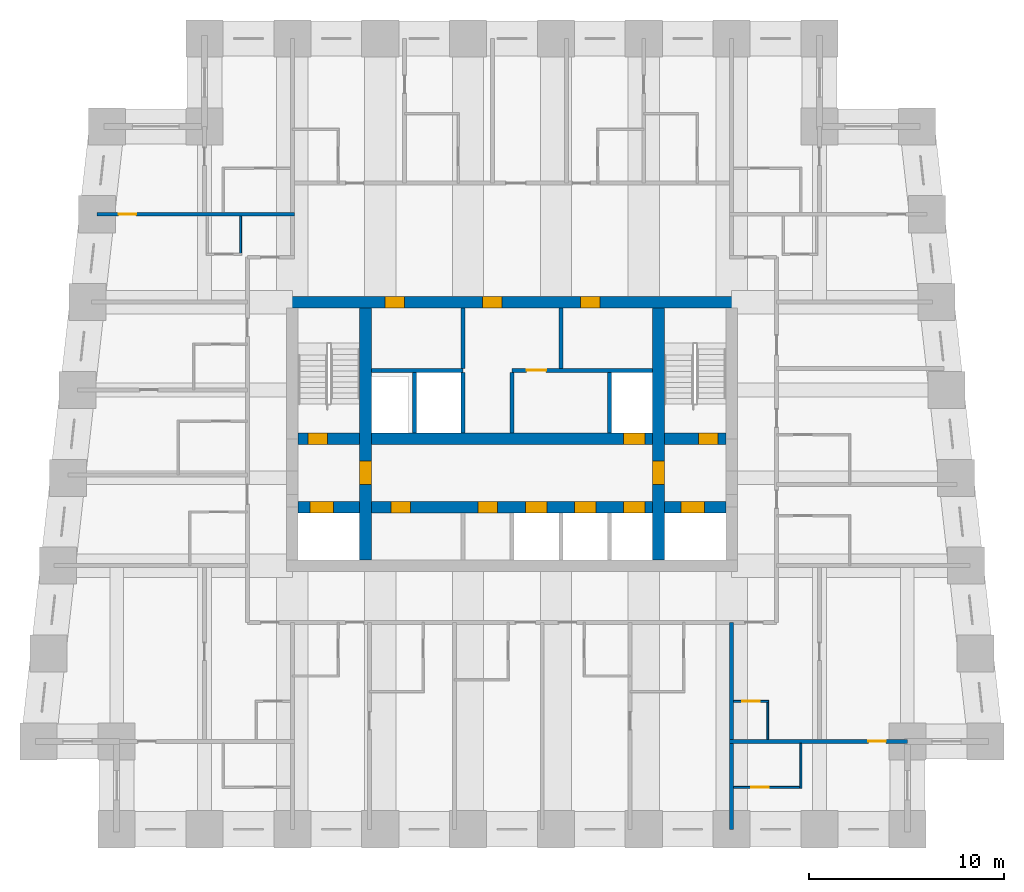
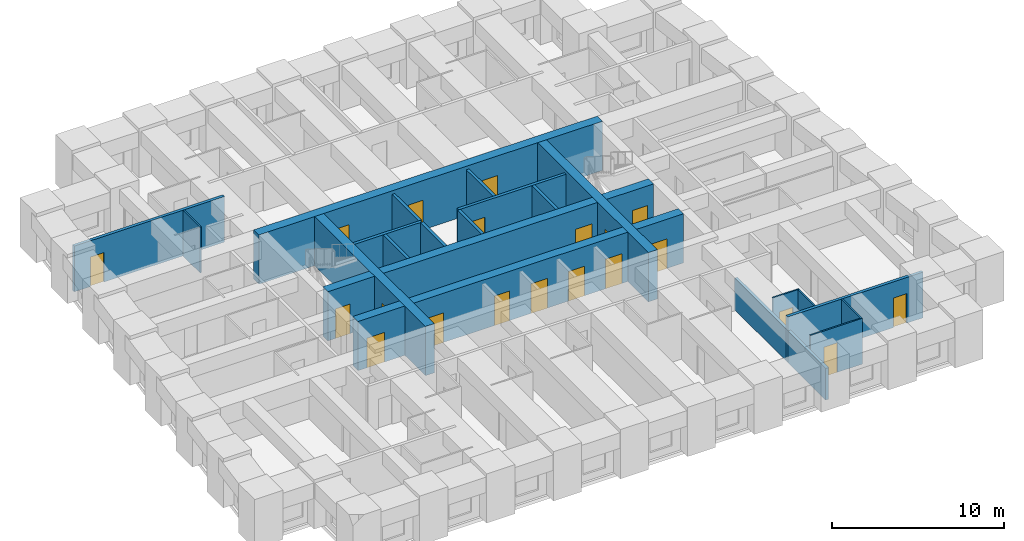
# One storey, part 4 of 8: 21 walls, 20 doors, 20 openings.
"""IFC4 building model written with IfcOpenShell, lengths in metres."""

from ifc_helpers import new_model, si_unit, direction, frame, frame_2d, origin, place, context, subcontext, project, spatial, rectangle, extrude, material, layer, layer_set, type_object, element, fill, save


model = new_model("IFC4")

# Units and contexts
model_context = context("Model", 3, precision=1e-05, world=origin(), true_north=direction((0.0, 1.0)))
body_context = subcontext(model_context, "Body", "Model", "MODEL_VIEW")
ifc_project = project(units=[si_unit("LENGTHUNIT", "METRE"), si_unit("AREAUNIT", "SQUARE_METRE"), si_unit("VOLUMEUNIT", "CUBIC_METRE"), si_unit("PLANEANGLEUNIT", "RADIAN"), si_unit("MASSUNIT", "GRAM", prefix="KILO")], contexts=[model_context])

# Site, building, storey
site_placement = place(None, origin())
site = spatial("IfcSite", under=ifc_project, at=site_placement, CompositionType="ELEMENT")
building_placement = place(site_placement, origin())
building = spatial("IfcBuilding", under=site, at=building_placement, Name="Kilele Tower Hotel", CompositionType="ELEMENT")
storey_placement = place(building_placement, frame((0.0, 0.0, 117.89990234375)))
storey = spatial("IfcBuildingStorey", under=building, at=storey_placement, Name="L30", CompositionType="ELEMENT", Elevation=117.89990234375)

# Wall
ifc_material_1 = material(Name="Moisture-resistant board")
ifc_layer_1 = layer(ifc_material_1, 0.10009765625)
ifc_layer_set_1 = layer_set([ifc_layer_1], Name="Moisture-resistant board")
wall_type_1 = type_object("IfcWallType", Name="Bathroom partition 100", PredefinedType="PLUMBINGWALL", material=ifc_layer_set_1)
wall_1_placement = place(storey_placement, frame((37.85009765625, 4.60009765625, 0.0), z_axis=(0.0, 0.0, 1.0), x_axis=(0.0, 1.0, 0.0)))
element("IfcWall", 1, at=wall_1_placement, inside=storey, type_object=wall_type_1, Name="Bathroom partition 100 L30", PredefinedType="PLUMBINGWALL", context=body_context, shape_type="SweptSolid", body=[
    extrude(rectangle(XDim=2.0, YDim=0.10009765625, at=frame_2d((1.0, 0.0))), origin(), (0.0, 0.0, 1.0), 3.25),
])

# Wall, opening, door
wall_2_placement = place(storey_placement, frame((36.10009765625, 6.550048828125, 0.0), z_axis=(0.0, 0.0, 1.0), x_axis=(1.0, 0.0, 0.0)))
wall_2 = element("IfcWall", 2, at=wall_2_placement, inside=storey, type_object=wall_type_1, Name="Bathroom partition 100 L30", PredefinedType="PLUMBINGWALL", context=body_context, shape_type="SweptSolid", body=[
    extrude(rectangle(XDim=1.7998046875, YDim=0.10009765625, at=frame_2d((0.89990234375, 0.0))), origin(), (0.0, 0.0, 1.0), 3.25),
])
opening_1_placement = place(wall_2_placement, frame((0.449951171875, 0.0, 0.0)))
opening_1 = element("IfcOpeningElement", 3, at=opening_1_placement, cuts=wall_2, Name="Opening D2A", PredefinedType="OPENING", context=body_context, shape_type="SweptSolid", body=[
    extrude(rectangle(XDim=0.89990234375, YDim=2.10009765625, at=frame_2d((0.449951171875, 1.050048828125))), frame((0.0, 0.06005859375, 0.0), z_axis=(0.0, -1.0, 0.0), x_axis=(1.0, 0.0, 0.0)), (0.0, 0.0, 1.0), 0.1201171875),
])
ifc_material_2 = material(Name="Timber door leaf in hardwood frame", Category="wood")
door_type_1 = type_object("IfcDoorType", Name="Bathroom door 900", OperationType="SINGLE_SWING_LEFT", PredefinedType="DOOR", material=ifc_material_2)
door_1_placement = place(opening_1_placement, origin())
door_1 = element("IfcDoor", 4, at=door_1_placement, inside=storey, type_object=door_type_1, Name="Bathroom door 3020P", OperationType="SINGLE_SWING_LEFT", OverallHeight=2.10009765625, OverallWidth=0.89990234375, PredefinedType="DOOR", context=body_context, shape_type="SweptSolid", body=[
    extrude(rectangle(XDim=0.89990234375, YDim=2.10009765625, at=frame_2d((0.449951171875, 1.050048828125))), frame((0.0, 0.02490234375, 0.0), z_axis=(0.0, -1.0, 0.0), x_axis=(1.0, 0.0, 0.0)), (0.0, 0.0, 1.0), 0.050048828125),
])
fill(opening_1, door_1)

# Wall
wall_3_placement = place(storey_placement, frame((39.550048828125, 4.39990234375, 0.0), z_axis=(0.0, 0.0, 1.0), x_axis=(0.0, -1.0, 0.0)))
element("IfcWall", 5, at=wall_3_placement, inside=storey, type_object=wall_type_1, Name="Bathroom partition 100 L30", PredefinedType="PLUMBINGWALL", context=body_context, shape_type="SweptSolid", body=[
    extrude(rectangle(XDim=2.2998046875, YDim=0.10009765625, at=frame_2d((1.14990234375, 0.0))), origin(), (0.0, 0.0, 1.0), 3.25),
])

# Wall, opening, door
wall_4_placement = place(storey_placement, frame((36.10009765625, 2.14990234375, 0.0), z_axis=(0.0, 0.0, 1.0), x_axis=(1.0, 0.0, 0.0)))
wall_4 = element("IfcWall", 6, at=wall_4_placement, inside=storey, type_object=wall_type_1, Name="Bathroom partition 100 L30", PredefinedType="PLUMBINGWALL", context=body_context, shape_type="SweptSolid", body=[
    extrude(rectangle(XDim=3.5, YDim=0.10009765625, at=frame_2d((1.75, 0.0))), origin(), (0.0, 0.0, 1.0), 3.25),
])
opening_2_placement = place(wall_4_placement, frame((1.7998046875, 0.0, 0.0), z_axis=(0.0, 0.0, 1.0), x_axis=(-1.0, 0.0, 0.0)))
opening_2 = element("IfcOpeningElement", 7, at=opening_2_placement, cuts=wall_4, Name="Opening D2A", PredefinedType="OPENING", context=body_context, shape_type="SweptSolid", body=[
    extrude(rectangle(XDim=0.89990234375, YDim=2.10009765625, at=frame_2d((0.449951171875, 1.050048828125))), frame((0.0, 0.06005859375, 0.0), z_axis=(0.0, -1.0, 0.0), x_axis=(1.0, 0.0, 0.0)), (0.0, 0.0, 1.0), 0.1201171875),
])
door_2_placement = place(opening_2_placement, origin())
door_2 = element("IfcDoor", 8, at=door_2_placement, inside=storey, type_object=door_type_1, Name="Bathroom door 3022B", OperationType="SINGLE_SWING_RIGHT", OverallHeight=2.10009765625, OverallWidth=0.89990234375, PredefinedType="DOOR", context=body_context, shape_type="SweptSolid", body=[
    extrude(rectangle(XDim=0.89990234375, YDim=2.10009765625, at=frame_2d((0.449951171875, 1.050048828125))), frame((0.0, 0.02490234375, 0.0), z_axis=(0.0, -1.0, 0.0), x_axis=(1.0, 0.0, 0.0)), (0.0, 0.0, 1.0), 0.050048828125),
])
fill(opening_2, door_2)

# Wall
wall_5_placement = place(storey_placement, frame((10.85009765625, 31.39990234375, 0.0), z_axis=(0.0, 0.0, 1.0), x_axis=(0.0, -1.0, 0.0)))
element("IfcWall", 9, at=wall_5_placement, inside=storey, type_object=wall_type_1, Name="Bathroom partition 100 L30", PredefinedType="PLUMBINGWALL", context=body_context, shape_type="SweptSolid", body=[
    extrude(rectangle(XDim=2.0, YDim=0.10009765625, at=frame_2d((1.0, 0.0))), origin(), (0.0, 0.0, 1.0), 3.25),
])

# Wall, openings, doors
ifc_material_3 = material(Name="Concrete C60/75", Category="concrete")
ifc_layer_2 = layer(ifc_material_3, 0.60009765625)
ifc_layer_set_2 = layer_set([ifc_layer_2], Name="Concrete C60/75")
wall_type_2 = type_object("IfcWallType", Name="Core wall 600 C60/75", PredefinedType="SHEAR", material=ifc_layer_set_2)
wall_6_placement = place(storey_placement, frame((36.300048828125, 27.0, 0.0), z_axis=(0.0, 0.0, 1.0), x_axis=(-1.0, 0.0, 0.0)))
wall_6 = element("IfcWall", 10, at=wall_6_placement, inside=storey, type_object=wall_type_2, Name="Core wall N L30", PredefinedType="SHEAR", context=body_context, shape_type="SweptSolid", body=[
    extrude(rectangle(XDim=23.10009765625, YDim=0.60009765625, at=frame_2d((11.550048828125, 0.0))), origin(), (0.0, 0.0, 1.0), 3.5),
])
opening_3_placement = place(wall_6_placement, frame((17.050048828125, 0.0, 0.0)))
opening_3 = element("IfcOpeningElement", 11, at=opening_3_placement, cuts=wall_6, Name="Opening D6", PredefinedType="OPENING", context=body_context, shape_type="SweptSolid", body=[
    extrude(rectangle(XDim=1.0, YDim=2.10009765625, at=frame_2d((0.5, 1.050048828125))), frame((0.0, 0.31005859375, 0.0), z_axis=(0.0, -1.0, 0.0), x_axis=(1.0, 0.0, 0.0)), (0.0, 0.0, 1.0), 0.6201171875),
])
opening_4_placement = place(wall_6_placement, frame((12.050048828125, 0.0, 0.0)))
opening_4 = element("IfcOpeningElement", 12, at=opening_4_placement, cuts=wall_6, Name="Opening D6", PredefinedType="OPENING", context=body_context, shape_type="SweptSolid", body=[
    extrude(rectangle(XDim=1.0, YDim=2.10009765625, at=frame_2d((0.5, 1.050048828125))), frame((0.0, 0.31005859375, 0.0), z_axis=(0.0, -1.0, 0.0), x_axis=(1.0, 0.0, 0.0)), (0.0, 0.0, 1.0), 0.6201171875),
])
opening_5_placement = place(wall_6_placement, frame((7.050048828125, 0.0, 0.0)))
opening_5 = element("IfcOpeningElement", 13, at=opening_5_placement, cuts=wall_6, Name="Opening D6", PredefinedType="OPENING", context=body_context, shape_type="SweptSolid", body=[
    extrude(rectangle(XDim=1.0, YDim=2.10009765625, at=frame_2d((0.5, 1.050048828125))), frame((0.0, 0.31005859375, 0.0), z_axis=(0.0, -1.0, 0.0), x_axis=(1.0, 0.0, 0.0)), (0.0, 0.0, 1.0), 0.6201171875),
])
ifc_material_4 = material(Name="Timber door leaf in hardwood frame", Category="wood")
door_type_2 = type_object("IfcDoorType", Name="Riser door 1000", OperationType="SINGLE_SWING_LEFT", PredefinedType="DOOR", material=ifc_material_4)
door_3_placement = place(opening_3_placement, origin())
door_3 = element("IfcDoor", 14, at=door_3_placement, inside=storey, type_object=door_type_2, Name="Service riser door L30", OperationType="SINGLE_SWING_RIGHT", OverallHeight=2.10009765625, OverallWidth=1.0, PredefinedType="DOOR", context=body_context, shape_type="SweptSolid", body=[
    extrude(rectangle(XDim=1.0, YDim=2.10009765625, at=frame_2d((0.5, 1.050048828125))), frame((0.0, 0.2998046875, 0.0), z_axis=(0.0, -1.0, 0.0), x_axis=(1.0, 0.0, 0.0)), (0.0, 0.0, 1.0), 0.599609375),
])
fill(opening_3, door_3)
door_4_placement = place(opening_4_placement, origin())
door_4 = element("IfcDoor", 15, at=door_4_placement, inside=storey, type_object=door_type_2, Name="Linen store door L30", OperationType="SINGLE_SWING_RIGHT", OverallHeight=2.10009765625, OverallWidth=1.0, PredefinedType="DOOR", context=body_context, shape_type="SweptSolid", body=[
    extrude(rectangle(XDim=1.0, YDim=2.10009765625, at=frame_2d((0.5, 1.050048828125))), frame((0.0, 0.2998046875, 0.0), z_axis=(0.0, -1.0, 0.0), x_axis=(1.0, 0.0, 0.0)), (0.0, 0.0, 1.0), 0.599609375),
])
fill(opening_4, door_4)
door_5_placement = place(opening_5_placement, origin())
door_5 = element("IfcDoor", 16, at=door_5_placement, inside=storey, type_object=door_type_2, Name="Electrical riser door L30", OperationType="SINGLE_SWING_RIGHT", OverallHeight=2.10009765625, OverallWidth=1.0, PredefinedType="DOOR", context=body_context, shape_type="SweptSolid", body=[
    extrude(rectangle(XDim=1.0, YDim=2.10009765625, at=frame_2d((0.5, 1.050048828125))), frame((0.0, 0.2998046875, 0.0), z_axis=(0.0, -1.0, 0.0), x_axis=(1.0, 0.0, 0.0)), (0.0, 0.0, 1.0), 0.599609375),
])
fill(opening_5, door_5)

# Wall, opening, door
wall_7_placement = place(storey_placement, frame((17.25, 13.800048828125, 0.0), z_axis=(0.0, 0.0, 1.0), x_axis=(0.0, 1.0, 0.0)))
wall_7 = element("IfcWall", 17, at=wall_7_placement, inside=storey, type_object=wall_type_2, Name="Core wall IW L30", PredefinedType="SHEAR", context=body_context, shape_type="SweptSolid", body=[
    extrude(rectangle(XDim=12.89990234375, YDim=0.60009765625, at=frame_2d((6.449951171875, 0.0))), origin(), (0.0, 0.0, 1.0), 3.5),
])
opening_6_placement = place(wall_7_placement, frame((3.85009765625, 0.0, 0.0)))
opening_6 = element("IfcOpeningElement", 18, at=opening_6_placement, cuts=wall_7, Name="Opening D4", PredefinedType="OPENING", context=body_context, shape_type="SweptSolid", body=[
    extrude(rectangle(XDim=1.199951171875, YDim=2.10009765625, at=frame_2d((0.60009765625, 1.050048828125))), frame((0.0, 0.31005859375, 0.0), z_axis=(0.0, -1.0, 0.0), x_axis=(1.0, 0.0, 0.0)), (0.0, 0.0, 1.0), 0.6201171875),
])
ifc_material_5 = material(Name="Timber door leaf in hardwood frame", Category="wood")
door_type_3 = type_object("IfcDoorType", Name="Firefighting lobby door 1200", OperationType="SINGLE_SWING_LEFT", PredefinedType="DOOR", material=ifc_material_5)
door_6_placement = place(opening_6_placement, origin())
door_6 = element("IfcDoor", 19, at=door_6_placement, inside=storey, type_object=door_type_3, Name="Lobby door L30", OperationType="SINGLE_SWING_LEFT", OverallHeight=2.10009765625, OverallWidth=1.199951171875, PredefinedType="DOOR", context=body_context, shape_type="SweptSolid", body=[
    extrude(rectangle(XDim=1.199951171875, YDim=2.10009765625, at=frame_2d((0.60009765625, 1.050048828125))), frame((0.0, 0.2998046875, 0.0), z_axis=(0.0, -1.0, 0.0), x_axis=(1.0, 0.0, 0.0)), (0.0, 0.0, 1.0), 0.599609375),
])
fill(opening_6, door_6)

wall_8_placement = place(storey_placement, frame((32.25, 13.800048828125, 0.0), z_axis=(0.0, 0.0, 1.0), x_axis=(0.0, 1.0, 0.0)))
wall_8 = element("IfcWall", 20, at=wall_8_placement, inside=storey, type_object=wall_type_2, Name="Core wall IE L30", PredefinedType="SHEAR", context=body_context, shape_type="SweptSolid", body=[
    extrude(rectangle(XDim=12.89990234375, YDim=0.60009765625, at=frame_2d((6.449951171875, 0.0))), origin(), (0.0, 0.0, 1.0), 3.5),
])
opening_7_placement = place(wall_8_placement, frame((5.050048828125, 0.0, 0.0), z_axis=(0.0, 0.0, 1.0), x_axis=(-1.0, 0.0, 0.0)))
opening_7 = element("IfcOpeningElement", 21, at=opening_7_placement, cuts=wall_8, Name="Opening D4", PredefinedType="OPENING", context=body_context, shape_type="SweptSolid", body=[
    extrude(rectangle(XDim=1.199951171875, YDim=2.10009765625, at=frame_2d((0.60009765625, 1.050048828125))), frame((0.0, 0.31005859375, 0.0), z_axis=(0.0, -1.0, 0.0), x_axis=(1.0, 0.0, 0.0)), (0.0, 0.0, 1.0), 0.6201171875),
])
door_7_placement = place(opening_7_placement, origin())
door_7 = element("IfcDoor", 22, at=door_7_placement, inside=storey, type_object=door_type_3, Name="Lobby door L30", OperationType="SINGLE_SWING_RIGHT", OverallHeight=2.10009765625, OverallWidth=1.199951171875, PredefinedType="DOOR", context=body_context, shape_type="SweptSolid", body=[
    extrude(rectangle(XDim=1.199951171875, YDim=2.10009765625, at=frame_2d((0.60009765625, 1.050048828125))), frame((0.0, 0.2998046875, 0.0), z_axis=(0.0, -1.0, 0.0), x_axis=(1.0, 0.0, 0.0)), (0.0, 0.0, 1.0), 0.599609375),
])
fill(opening_7, door_7)

# Wall, openings, doors
wall_9_placement = place(storey_placement, frame((13.800048828125, 16.5, 0.0), z_axis=(0.0, 0.0, 1.0), x_axis=(1.0, 0.0, 0.0)))
wall_9 = element("IfcWall", 23, at=wall_9_placement, inside=storey, type_object=wall_type_2, Name="Core wall LS L30", PredefinedType="SHEAR", context=body_context, shape_type="SweptSolid", body=[
    extrude(rectangle(XDim=21.89990234375, YDim=0.60009765625, at=frame_2d((10.949951171875, 0.0))), origin(), (0.0, 0.0, 1.0), 3.5),
])
opening_8_placement = place(wall_9_placement, frame((11.64990234375, 0.0, 0.0)))
opening_8 = element("IfcOpeningElement", 24, at=opening_8_placement, cuts=wall_9, Name="Opening LD1", PredefinedType="OPENING", context=body_context, shape_type="SweptSolid", body=[
    extrude(rectangle(XDim=1.10009765625, YDim=2.10009765625, at=frame_2d((0.550048828125, 1.050048828125))), frame((0.0, 0.31005859375, 0.0), z_axis=(0.0, -1.0, 0.0), x_axis=(1.0, 0.0, 0.0)), (0.0, 0.0, 1.0), 0.6201171875),
])
opening_9_placement = place(wall_9_placement, frame((14.14990234375, 0.0, 0.0)))
opening_9 = element("IfcOpeningElement", 25, at=opening_9_placement, cuts=wall_9, Name="Opening LD1", PredefinedType="OPENING", context=body_context, shape_type="SweptSolid", body=[
    extrude(rectangle(XDim=1.10009765625, YDim=2.10009765625, at=frame_2d((0.550048828125, 1.050048828125))), frame((0.0, 0.31005859375, 0.0), z_axis=(0.0, -1.0, 0.0), x_axis=(1.0, 0.0, 0.0)), (0.0, 0.0, 1.0), 0.6201171875),
])
opening_10_placement = place(wall_9_placement, frame((16.64990234375, 0.0, 0.0)))
opening_10 = element("IfcOpeningElement", 26, at=opening_10_placement, cuts=wall_9, Name="Opening LD1", PredefinedType="OPENING", context=body_context, shape_type="SweptSolid", body=[
    extrude(rectangle(XDim=1.10009765625, YDim=2.10009765625, at=frame_2d((0.550048828125, 1.050048828125))), frame((0.0, 0.31005859375, 0.0), z_axis=(0.0, -1.0, 0.0), x_axis=(1.0, 0.0, 0.0)), (0.0, 0.0, 1.0), 0.6201171875),
])
opening_11_placement = place(wall_9_placement, frame((5.75, 0.0, 0.0), z_axis=(0.0, 0.0, 1.0), x_axis=(-1.0, 0.0, 0.0)))
opening_11 = element("IfcOpeningElement", 27, at=opening_11_placement, cuts=wall_9, Name="Opening D11", PredefinedType="OPENING", context=body_context, shape_type="SweptSolid", body=[
    extrude(rectangle(XDim=1.0, YDim=2.10009765625, at=frame_2d((0.5, 1.050048828125))), frame((0.0, 0.31005859375, 0.0), z_axis=(0.0, -1.0, 0.0), x_axis=(1.0, 0.0, 0.0)), (0.0, 0.0, 1.0), 0.6201171875),
])
opening_12_placement = place(wall_9_placement, frame((10.199951171875, 0.0, 0.0), z_axis=(0.0, 0.0, 1.0), x_axis=(-1.0, 0.0, 0.0)))
opening_12 = element("IfcOpeningElement", 28, at=opening_12_placement, cuts=wall_9, Name="Opening D11", PredefinedType="OPENING", context=body_context, shape_type="SweptSolid", body=[
    extrude(rectangle(XDim=1.0, YDim=2.10009765625, at=frame_2d((0.5, 1.050048828125))), frame((0.0, 0.31005859375, 0.0), z_axis=(0.0, -1.0, 0.0), x_axis=(1.0, 0.0, 0.0)), (0.0, 0.0, 1.0), 0.6201171875),
])
opening_13_placement = place(wall_9_placement, frame((0.60009765625, 0.0, 0.0)))
opening_13 = element("IfcOpeningElement", 29, at=opening_13_placement, cuts=wall_9, Name="Opening LD2", PredefinedType="OPENING", context=body_context, shape_type="SweptSolid", body=[
    extrude(rectangle(XDim=1.199951171875, YDim=2.10009765625, at=frame_2d((0.60009765625, 1.050048828125))), frame((0.0, 0.31005859375, 0.0), z_axis=(0.0, -1.0, 0.0), x_axis=(1.0, 0.0, 0.0)), (0.0, 0.0, 1.0), 0.6201171875),
])
opening_14_placement = place(wall_9_placement, frame((19.60009765625, 0.0, 0.0)))
opening_14 = element("IfcOpeningElement", 30, at=opening_14_placement, cuts=wall_9, Name="Opening LD2", PredefinedType="OPENING", context=body_context, shape_type="SweptSolid", body=[
    extrude(rectangle(XDim=1.199951171875, YDim=2.10009765625, at=frame_2d((0.60009765625, 1.050048828125))), frame((0.0, 0.31005859375, 0.0), z_axis=(0.0, -1.0, 0.0), x_axis=(1.0, 0.0, 0.0)), (0.0, 0.0, 1.0), 0.6201171875),
])
ifc_material_6 = material(Name="Timber door leaf in hardwood frame", Category="wood")
door_type_4 = type_object("IfcDoorType", Name="Core store door 1000", OperationType="SINGLE_SWING_LEFT", PredefinedType="DOOR", material=ifc_material_6)
door_8_placement = place(opening_11_placement, origin())
door_8 = element("IfcDoor", 31, at=door_8_placement, inside=storey, type_object=door_type_4, Name="Core room door L1 L30", OperationType="SINGLE_SWING_RIGHT", OverallHeight=2.10009765625, OverallWidth=1.0, PredefinedType="DOOR", context=body_context, shape_type="SweptSolid", body=[
    extrude(rectangle(XDim=1.0, YDim=2.10009765625, at=frame_2d((0.5, 1.050048828125))), frame((0.0, 0.2998046875, 0.0), z_axis=(0.0, -1.0, 0.0), x_axis=(1.0, 0.0, 0.0)), (0.0, 0.0, 1.0), 0.599609375),
])
fill(opening_11, door_8)
door_9_placement = place(opening_12_placement, origin())
door_9 = element("IfcDoor", 32, at=door_9_placement, inside=storey, type_object=door_type_4, Name="Core room door L3 L30", OperationType="SINGLE_SWING_RIGHT", OverallHeight=2.10009765625, OverallWidth=1.0, PredefinedType="DOOR", context=body_context, shape_type="SweptSolid", body=[
    extrude(rectangle(XDim=1.0, YDim=2.10009765625, at=frame_2d((0.5, 1.050048828125))), frame((0.0, 0.2998046875, 0.0), z_axis=(0.0, -1.0, 0.0), x_axis=(1.0, 0.0, 0.0)), (0.0, 0.0, 1.0), 0.599609375),
])
fill(opening_12, door_9)
ifc_material_7 = material(Name="Steel lift landing door", Category="steel")
door_type_5 = type_object("IfcDoorType", Name="Firefighting lift landing door 1200", OperationType="SLIDING_TO_LEFT", PredefinedType="DOOR", material=ifc_material_7)
door_10_placement = place(opening_13_placement, origin())
door_10 = element("IfcDoor", 33, at=door_10_placement, inside=storey, type_object=door_type_5, Name="Landing door FFW L30", OperationType="SLIDING_TO_LEFT", OverallHeight=2.10009765625, OverallWidth=1.199951171875, PredefinedType="DOOR", context=body_context, shape_type="SweptSolid", body=[
    extrude(rectangle(XDim=1.199951171875, YDim=2.10009765625, at=frame_2d((0.60009765625, 1.050048828125))), frame((0.0, 0.2998046875, 0.0), z_axis=(0.0, -1.0, 0.0), x_axis=(1.0, 0.0, 0.0)), (0.0, 0.0, 1.0), 0.599609375),
])
fill(opening_13, door_10)
door_11_placement = place(opening_14_placement, origin())
door_11 = element("IfcDoor", 34, at=door_11_placement, inside=storey, type_object=door_type_5, Name="Landing door FFE L30", OperationType="SLIDING_TO_LEFT", OverallHeight=2.10009765625, OverallWidth=1.199951171875, PredefinedType="DOOR", context=body_context, shape_type="SweptSolid", body=[
    extrude(rectangle(XDim=1.199951171875, YDim=2.10009765625, at=frame_2d((0.60009765625, 1.050048828125))), frame((0.0, 0.2998046875, 0.0), z_axis=(0.0, -1.0, 0.0), x_axis=(1.0, 0.0, 0.0)), (0.0, 0.0, 1.0), 0.599609375),
])
fill(opening_14, door_11)
ifc_material_8 = material(Name="Steel lift landing door", Category="steel")
door_type_6 = type_object("IfcDoorType", Name="Lift landing door 1100", OperationType="SLIDING_TO_LEFT", PredefinedType="DOOR", material=ifc_material_8)
door_12_placement = place(opening_8_placement, origin())
door_12 = element("IfcDoor", 35, at=door_12_placement, inside=storey, type_object=door_type_6, Name="Landing door M1 L30", OperationType="SLIDING_TO_LEFT", OverallHeight=2.10009765625, OverallWidth=1.10009765625, PredefinedType="DOOR", context=body_context, shape_type="SweptSolid", body=[
    extrude(rectangle(XDim=1.10009765625, YDim=2.10009765625, at=frame_2d((0.550048828125, 1.050048828125))), frame((0.0, 0.2998046875, 0.0), z_axis=(0.0, -1.0, 0.0), x_axis=(1.0, 0.0, 0.0)), (0.0, 0.0, 1.0), 0.599609375),
])
fill(opening_8, door_12)
door_13_placement = place(opening_9_placement, origin())
door_13 = element("IfcDoor", 36, at=door_13_placement, inside=storey, type_object=door_type_6, Name="Landing door M2 L30", OperationType="SLIDING_TO_LEFT", OverallHeight=2.10009765625, OverallWidth=1.10009765625, PredefinedType="DOOR", context=body_context, shape_type="SweptSolid", body=[
    extrude(rectangle(XDim=1.10009765625, YDim=2.10009765625, at=frame_2d((0.550048828125, 1.050048828125))), frame((0.0, 0.2998046875, 0.0), z_axis=(0.0, -1.0, 0.0), x_axis=(1.0, 0.0, 0.0)), (0.0, 0.0, 1.0), 0.599609375),
])
fill(opening_9, door_13)
door_14_placement = place(opening_10_placement, origin())
door_14 = element("IfcDoor", 37, at=door_14_placement, inside=storey, type_object=door_type_6, Name="Landing door M3 L30", OperationType="SLIDING_TO_LEFT", OverallHeight=2.10009765625, OverallWidth=1.10009765625, PredefinedType="DOOR", context=body_context, shape_type="SweptSolid", body=[
    extrude(rectangle(XDim=1.10009765625, YDim=2.10009765625, at=frame_2d((0.550048828125, 1.050048828125))), frame((0.0, 0.2998046875, 0.0), z_axis=(0.0, -1.0, 0.0), x_axis=(1.0, 0.0, 0.0)), (0.0, 0.0, 1.0), 0.599609375),
])
fill(opening_10, door_14)

wall_10_placement = place(storey_placement, frame((13.800048828125, 20.0, 0.0), z_axis=(0.0, 0.0, 1.0), x_axis=(1.0, 0.0, 0.0)))
wall_10 = element("IfcWall", 38, at=wall_10_placement, inside=storey, type_object=wall_type_2, Name="Core wall LN L30", PredefinedType="SHEAR", context=body_context, shape_type="SweptSolid", body=[
    extrude(rectangle(XDim=21.89990234375, YDim=0.60009765625, at=frame_2d((10.949951171875, 0.0))), origin(), (0.0, 0.0, 1.0), 3.5),
])
opening_15_placement = place(wall_10_placement, frame((0.5, 0.0, 0.0)))
opening_15 = element("IfcOpeningElement", 39, at=opening_15_placement, cuts=wall_10, Name="Opening D5", PredefinedType="OPENING", context=body_context, shape_type="SweptSolid", body=[
    extrude(rectangle(XDim=1.0, YDim=2.10009765625, at=frame_2d((0.5, 1.050048828125))), frame((0.0, 0.31005859375, 0.0), z_axis=(0.0, -1.0, 0.0), x_axis=(1.0, 0.0, 0.0)), (0.0, 0.0, 1.0), 0.6201171875),
])
opening_16_placement = place(wall_10_placement, frame((20.5, 0.0, 0.0)))
opening_16 = element("IfcOpeningElement", 40, at=opening_16_placement, cuts=wall_10, Name="Opening D5", PredefinedType="OPENING", context=body_context, shape_type="SweptSolid", body=[
    extrude(rectangle(XDim=1.0, YDim=2.10009765625, at=frame_2d((0.5, 1.050048828125))), frame((0.0, 0.31005859375, 0.0), z_axis=(0.0, -1.0, 0.0), x_axis=(1.0, 0.0, 0.0)), (0.0, 0.0, 1.0), 0.6201171875),
])
opening_17_placement = place(wall_10_placement, frame((16.64990234375, 0.0, 0.0)))
opening_17 = element("IfcOpeningElement", 41, at=opening_17_placement, cuts=wall_10, Name="Opening LD1", PredefinedType="OPENING", context=body_context, shape_type="SweptSolid", body=[
    extrude(rectangle(XDim=1.10009765625, YDim=2.10009765625, at=frame_2d((0.550048828125, 1.050048828125))), frame((0.0, 0.31005859375, 0.0), z_axis=(0.0, -1.0, 0.0), x_axis=(1.0, 0.0, 0.0)), (0.0, 0.0, 1.0), 0.6201171875),
])
door_15_placement = place(opening_17_placement, origin())
door_15 = element("IfcDoor", 42, at=door_15_placement, inside=storey, type_object=door_type_6, Name="Landing door G1 L30", OperationType="SLIDING_TO_LEFT", OverallHeight=2.10009765625, OverallWidth=1.10009765625, PredefinedType="DOOR", context=body_context, shape_type="SweptSolid", body=[
    extrude(rectangle(XDim=1.10009765625, YDim=2.10009765625, at=frame_2d((0.550048828125, 1.050048828125))), frame((0.0, 0.2998046875, 0.0), z_axis=(0.0, -1.0, 0.0), x_axis=(1.0, 0.0, 0.0)), (0.0, 0.0, 1.0), 0.599609375),
])
fill(opening_17, door_15)
ifc_material_9 = material(Name="Timber door leaf in hardwood frame", Category="wood")
door_type_7 = type_object("IfcDoorType", Name="Stair door 1000", OperationType="SINGLE_SWING_LEFT", PredefinedType="DOOR", material=ifc_material_9)
door_16_placement = place(opening_15_placement, origin())
door_16 = element("IfcDoor", 43, at=door_16_placement, inside=storey, type_object=door_type_7, Name="Stair 1 door L30", OperationType="SINGLE_SWING_LEFT", OverallHeight=2.10009765625, OverallWidth=1.0, PredefinedType="DOOR", context=body_context, shape_type="SweptSolid", body=[
    extrude(rectangle(XDim=1.0, YDim=2.10009765625, at=frame_2d((0.5, 1.050048828125))), frame((0.0, 0.2998046875, 0.0), z_axis=(0.0, -1.0, 0.0), x_axis=(1.0, 0.0, 0.0)), (0.0, 0.0, 1.0), 0.599609375),
])
fill(opening_15, door_16)
door_17_placement = place(opening_16_placement, origin())
door_17 = element("IfcDoor", 44, at=door_17_placement, inside=storey, type_object=door_type_7, Name="Stair 2 door L30", OperationType="SINGLE_SWING_RIGHT", OverallHeight=2.10009765625, OverallWidth=1.0, PredefinedType="DOOR", context=body_context, shape_type="SweptSolid", body=[
    extrude(rectangle(XDim=1.0, YDim=2.10009765625, at=frame_2d((0.5, 1.050048828125))), frame((0.0, 0.2998046875, 0.0), z_axis=(0.0, -1.0, 0.0), x_axis=(1.0, 0.0, 0.0)), (0.0, 0.0, 1.0), 0.599609375),
])
fill(opening_16, door_17)

# Wall
ifc_material_10 = material(Name="Blockwork, plastered both sides", Category="masonry")
ifc_layer_3 = layer(ifc_material_10, 0.199951171875)
ifc_layer_set_3 = layer_set([ifc_layer_3], Name="Blockwork, plastered both sides")
wall_type_3 = type_object("IfcWallType", Name="Party wall 200", PredefinedType="PARTITIONING", material=ifc_layer_set_3)
wall_11_placement = place(storey_placement, frame((36.0, 10.60009765625, 0.0), z_axis=(0.0, 0.0, 1.0), x_axis=(0.0, -1.0, 0.0)))
element("IfcWall", 45, at=wall_11_placement, inside=storey, type_object=wall_type_3, Name="Party wall 200 L30", PredefinedType="PARTITIONING", context=body_context, shape_type="SweptSolid", body=[
    extrude(rectangle(XDim=10.60009765625, YDim=0.199951171875, at=frame_2d((5.300048828125, 0.0))), origin(), (0.0, 0.0, 1.0), 2.25),
])

# Wall, opening, door
wall_12_placement = place(storey_placement, frame((35.89990234375, 4.5, 0.0), z_axis=(0.0, 0.0, 1.0), x_axis=(1.0, 0.0, 0.0)))
wall_12 = element("IfcWall", 46, at=wall_12_placement, inside=storey, type_object=wall_type_3, Name="Party wall 200 L30", PredefinedType="PARTITIONING", context=body_context, shape_type="SweptSolid", body=[
    extrude(rectangle(XDim=9.10009765625, YDim=0.199951171875, at=frame_2d((4.550048828125, 0.0))), origin(), (0.0, 0.0, 1.0), 3.25),
])
opening_18_placement = place(wall_12_placement, frame((7.10009765625, 0.0, 0.0)))
opening_18 = element("IfcOpeningElement", 47, at=opening_18_placement, cuts=wall_12, Name="Opening D3", PredefinedType="OPENING", context=body_context, shape_type="SweptSolid", body=[
    extrude(rectangle(XDim=0.89990234375, YDim=2.10009765625, at=frame_2d((0.449951171875, 1.050048828125))), frame((0.0, 0.10986328125, 0.0), z_axis=(0.0, -1.0, 0.0), x_axis=(1.0, 0.0, 0.0)), (0.0, 0.0, 1.0), 0.219970703125),
])
ifc_material_11 = material(Name="Timber door leaf in hardwood frame", Category="wood")
door_type_8 = type_object("IfcDoorType", Name="Suite internal door 900", OperationType="SINGLE_SWING_LEFT", PredefinedType="DOOR", material=ifc_material_11)
door_18_placement = place(opening_18_placement, origin())
door_18 = element("IfcDoor", 48, at=door_18_placement, inside=storey, type_object=door_type_8, Name="Suite door 3022", OperationType="SINGLE_SWING_RIGHT", OverallHeight=2.10009765625, OverallWidth=0.89990234375, PredefinedType="DOOR", context=body_context, shape_type="SweptSolid", body=[
    extrude(rectangle(XDim=0.89990234375, YDim=2.10009765625, at=frame_2d((0.449951171875, 1.050048828125))), frame((0.0, 0.02490234375, 0.0), z_axis=(0.0, -1.0, 0.0), x_axis=(1.0, 0.0, 0.0)), (0.0, 0.0, 1.0), 0.050048828125),
])
fill(opening_18, door_18)

wall_13_placement = place(storey_placement, frame((13.60009765625, 31.5, 0.0), z_axis=(0.0, 0.0, 1.0), x_axis=(-1.0, 0.0, 0.0)))
wall_13 = element("IfcWall", 49, at=wall_13_placement, inside=storey, type_object=wall_type_3, Name="Party wall 200 L30", PredefinedType="PARTITIONING", context=body_context, shape_type="SweptSolid", body=[
    extrude(rectangle(XDim=10.09912109375, YDim=0.199951171875, at=frame_2d((5.049560546875, 0.0))), origin(), (0.0, 0.0, 1.0), 3.25),
])
opening_19_placement = place(wall_13_placement, frame((8.9990234375, 0.0, 0.0), z_axis=(0.0, 0.0, 1.0), x_axis=(-1.0, 0.0, 0.0)))
opening_19 = element("IfcOpeningElement", 50, at=opening_19_placement, cuts=wall_13, Name="Opening D3", PredefinedType="OPENING", context=body_context, shape_type="SweptSolid", body=[
    extrude(rectangle(XDim=0.89990234375, YDim=2.10009765625, at=frame_2d((0.449951171875, 1.050048828125))), frame((0.0, 0.10986328125, 0.0), z_axis=(0.0, -1.0, 0.0), x_axis=(1.0, 0.0, 0.0)), (0.0, 0.0, 1.0), 0.219970703125),
])
door_19_placement = place(opening_19_placement, origin())
door_19 = element("IfcDoor", 51, at=door_19_placement, inside=storey, type_object=door_type_8, Name="Suite door 3027", OperationType="SINGLE_SWING_LEFT", OverallHeight=2.10009765625, OverallWidth=0.89990234375, PredefinedType="DOOR", context=body_context, shape_type="SweptSolid", body=[
    extrude(rectangle(XDim=0.89990234375, YDim=2.10009765625, at=frame_2d((0.449951171875, 1.050048828125))), frame((0.0, 0.02490234375, 0.0), z_axis=(0.0, -1.0, 0.0), x_axis=(1.0, 0.0, 0.0)), (0.0, 0.0, 1.0), 0.050048828125),
])
fill(opening_19, door_19)

# Walls
ifc_material_12 = material(Name="Blockwork, fire-rated", Category="masonry")
ifc_layer_4 = layer(ifc_material_12, 0.199951171875)
ifc_layer_set_4 = layer_set([ifc_layer_4], Name="Blockwork, fire-rated")
wall_type_4 = type_object("IfcWallType", Name="Shaft wall 200", PredefinedType="PARTITIONING", material=ifc_layer_set_4)
for number, where, z_axis, x_axis, name in (
    (52, (19.75, 20.300048828125, 0.0), (0.0, 0.0, 1.0), (0.0, 1.0, 0.0), "Shaft wall 200 L30"),
    (53, (22.25, 20.300048828125, 0.0), (0.0, 0.0, 1.0), (0.0, 1.0, 0.0), "Shaft wall 200 L30"),
    (54, (24.75, 20.300048828125, 0.0), (0.0, 0.0, 1.0), (0.0, 1.0, 0.0), "Shaft wall 200 L30"),
    (55, (29.75, 20.300048828125, 0.0), (0.0, 0.0, 1.0), (0.0, 1.0, 0.0), "Shaft wall 200 L30"),
):
    element("IfcWall", number, at=place(storey_placement, frame(where, z_axis=z_axis, x_axis=x_axis)), inside=storey, type_object=wall_type_4, Name=name, PredefinedType="PARTITIONING", context=body_context, shape_type="SweptSolid", body=[
        extrude(rectangle(XDim=3.099853515625, YDim=0.199951171875, at=frame_2d((1.5498046875, 0.0))), origin(), (0.0, 0.0, 1.0), 3.25),
    ])
wall_14_placement = place(storey_placement, frame((17.550048828125, 23.5, 0.0), z_axis=(0.0, 0.0, 1.0), x_axis=(1.0, 0.0, 0.0)))
element("IfcWall", 56, at=wall_14_placement, inside=storey, type_object=wall_type_4, Name="Shaft wall 200 L30", PredefinedType="PARTITIONING", context=body_context, shape_type="SweptSolid", body=[
    extrude(rectangle(XDim=4.699951171875, YDim=0.199951171875, at=frame_2d((2.35009765625, 0.0))), origin(), (0.0, 0.0, 1.0), 3.25),
])

# Wall, opening, door
wall_15_placement = place(storey_placement, frame((24.75, 23.5, 0.0), z_axis=(0.0, 0.0, 1.0), x_axis=(1.0, 0.0, 0.0)))
wall_15 = element("IfcWall", 57, at=wall_15_placement, inside=storey, type_object=wall_type_4, Name="Shaft wall 200 L30", PredefinedType="PARTITIONING", context=body_context, shape_type="SweptSolid", body=[
    extrude(rectangle(XDim=7.199951171875, YDim=0.199951171875, at=frame_2d((3.60009765625, 0.0))), origin(), (0.0, 0.0, 1.0), 3.25),
])
opening_20_placement = place(wall_15_placement, frame((0.75, 0.0, 0.0)))
opening_20 = element("IfcOpeningElement", 58, at=opening_20_placement, cuts=wall_15, Name="Opening D11", PredefinedType="OPENING", context=body_context, shape_type="SweptSolid", body=[
    extrude(rectangle(XDim=1.0, YDim=2.10009765625, at=frame_2d((0.5, 1.050048828125))), frame((0.0, 0.10986328125, 0.0), z_axis=(0.0, -1.0, 0.0), x_axis=(1.0, 0.0, 0.0)), (0.0, 0.0, 1.0), 0.219970703125),
])
door_20_placement = place(opening_20_placement, origin())
door_20 = element("IfcDoor", 59, at=door_20_placement, inside=storey, type_object=door_type_4, Name="Core room door H2", OperationType="SINGLE_SWING_RIGHT", OverallHeight=2.10009765625, OverallWidth=1.0, PredefinedType="DOOR", context=body_context, shape_type="SweptSolid", body=[
    extrude(rectangle(XDim=1.0, YDim=2.10009765625, at=frame_2d((0.5, 1.050048828125))), frame((0.0, 0.02490234375, 0.0), z_axis=(0.0, -1.0, 0.0), x_axis=(1.0, 0.0, 0.0)), (0.0, 0.0, 1.0), 0.050048828125),
])
fill(opening_20, door_20)

# Walls
for number, where, z_axis, x_axis, name in (
    (60, (22.25, 23.60009765625, 0.0), (0.0, 0.0, 1.0), (0.0, 1.0, 0.0), "Shaft wall 200 L30"),
    (61, (27.25, 23.60009765625, 0.0), (0.0, 0.0, 1.0), (0.0, 1.0, 0.0), "Shaft wall 200 L30"),
):
    element("IfcWall", number, at=place(storey_placement, frame(where, z_axis=z_axis, x_axis=x_axis)), inside=storey, type_object=wall_type_4, Name=name, PredefinedType="PARTITIONING", context=body_context, shape_type="SweptSolid", body=[
        extrude(rectangle(XDim=3.099853515625, YDim=0.199951171875, at=frame_2d((1.5498046875, 0.0))), origin(), (0.0, 0.0, 1.0), 3.25),
    ])

save(model, "model.ifc")
